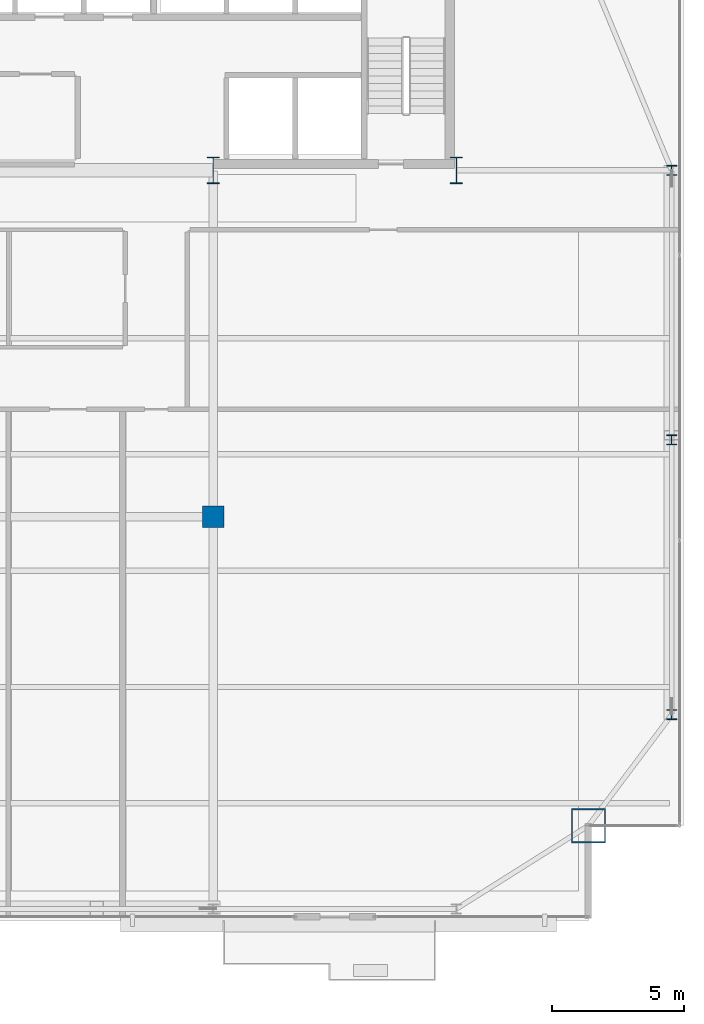
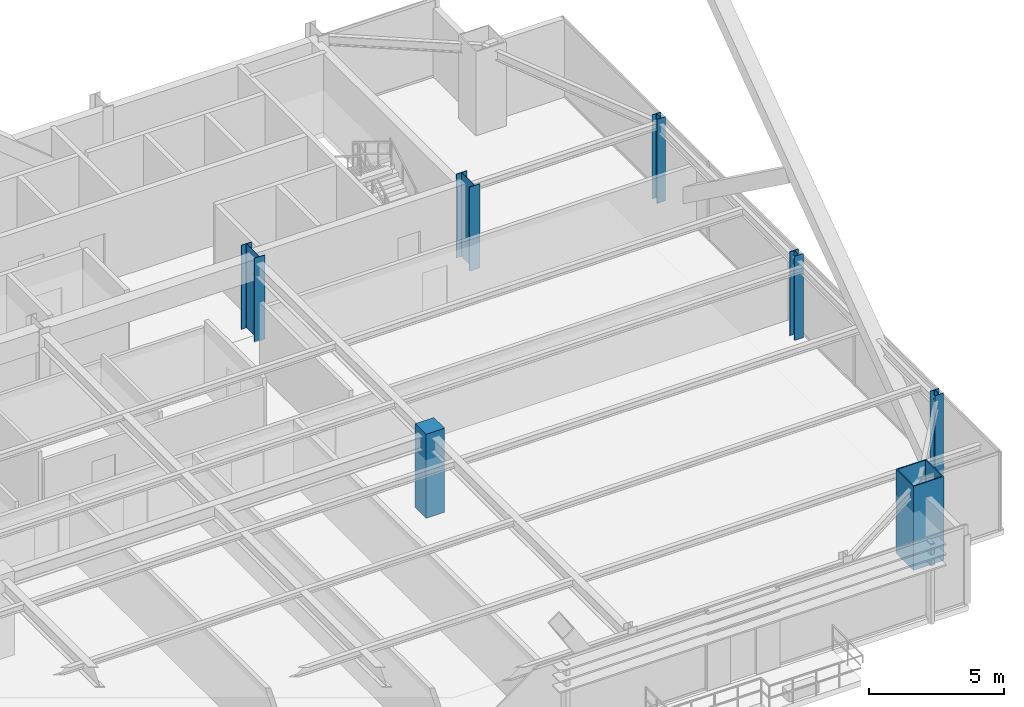
# One storey, part 2 of 34: 7 columns.
"""IFC4 building model written with IfcOpenShell, lengths in metres."""

from ifc_helpers import new_model, si_unit, direction, frame, origin, origin_2d, place, context, subcontext, project, spatial, rectangle, hollow_rectangle, i_section, extrude, source, transform, mapped, material, material_profile, profile_set, type_object, type_shapes, element, save


model = new_model("IFC4")

# Units and contexts
model_context = context("Model", 3, precision=1e-05, world=origin(), true_north=direction((0.0, 1.0)))
body_context = subcontext(model_context, "Body", "Model", "MODEL_VIEW")
ifc_project = project(units=[si_unit("LENGTHUNIT", "METRE"), si_unit("AREAUNIT", "SQUARE_METRE"), si_unit("VOLUMEUNIT", "CUBIC_METRE"), si_unit("PLANEANGLEUNIT", "RADIAN"), si_unit("MASSUNIT", "GRAM", prefix="KILO")], contexts=[model_context])

# Site, building, storey
site_placement = place(None, origin())
site = spatial("IfcSite", under=ifc_project, at=site_placement, CompositionType="ELEMENT")
building_placement = place(site_placement, origin())
building = spatial("IfcBuilding", under=site, at=building_placement, Name="Varnel Quay Broadcast Tower", CompositionType="ELEMENT")
storey_placement = place(building_placement, frame((0.0, 0.0, 161.0)))
storey = spatial("IfcBuildingStorey", under=building, at=storey_placement, Name="L39", CompositionType="ELEMENT", Elevation=161.0)

# Columns
ifc_material_1 = material(Name="Structural Steel CSA G40.21 350WT", Category="steel")
ifc_material_profile_1 = material_profile(ifc_material_1, i_section(OverallWidth=0.449951171875, OverallDepth=1.0, WebThickness=0.01611328125, FlangeThickness=0.030029296875, FilletRadius=0.01611328125, at=origin_2d()), Name="WWF1000X362")
ifc_profile_set_1 = profile_set([ifc_material_profile_1], Name="Structural Steel CSA G40.21 350WT")
column_type_1 = type_object("IfcColumnType", Name="Col_WWF1000X362", PredefinedType="COLUMN", material=ifc_profile_set_1)
shared_shape_1 = source(origin(), body_context, "Body", "SweptSolid", [
    extrude(i_section(OverallWidth=0.449951171875, OverallDepth=1.0, WebThickness=0.01611328125, FlangeThickness=0.030029296875, FilletRadius=0.01611328125, at=origin_2d()), origin(), (0.0, 0.0, 1.0), 3.800048828125),
])
type_shapes(column_type_1, [shared_shape_1])
for number, where, z_axis, x_axis, name in (
    (1, (43.199951171875, 35.60009765625, 0.0), (0.0, 0.0, 1.0), (1.0, 0.0, 0.0), "L39 Column CC-S4"),
    (2, (52.39990234375, 35.60009765625, 0.0), (0.0, 0.0, 1.0), (1.0, 0.0, 0.0), "L39 Column CC-S5"),
):
    element("IfcColumn", number, at=place(storey_placement, frame(where, z_axis=z_axis, x_axis=x_axis)), inside=storey, type_object=column_type_1, Name=name, PredefinedType="COLUMN", context=body_context, shape_type="MappedRepresentation", body=[
        mapped(shared_shape_1, transform((0.0, 0.0, 0.0), x_axis=(1.0, 0.0, 0.0), y_axis=(0.0, 1.0, 0.0), z_axis=(0.0, 0.0, 1.0), scale=1.0)),
    ])
ifc_material_profile_2 = material_profile(ifc_material_1, hollow_rectangle(XDim=1.300048828125, YDim=1.300048828125, WallThickness=0.050048828125, at=origin_2d()), Name="BOX1300X1300X50")
ifc_profile_set_2 = profile_set([ifc_material_profile_2], Name="Structural Steel CSA G40.21 350WT")
column_type_2 = type_object("IfcColumnType", Name="Col_BOX1300X1300X50", PredefinedType="COLUMN", material=ifc_profile_set_2)
shared_shape_2 = source(origin(), body_context, "Body", "SweptSolid", [
    extrude(hollow_rectangle(XDim=1.300048828125, YDim=1.300048828125, WallThickness=0.050048828125, at=origin_2d()), origin(), (0.0, 0.0, 1.0), 3.800048828125),
])
type_shapes(column_type_2, [shared_shape_2])
column_1_placement = place(storey_placement, frame((57.39990234375, 10.800048828125, 0.0), z_axis=(0.0, 0.0, 1.0), x_axis=(1.0, 0.0, 0.0)))
element("IfcColumn", 3, at=column_1_placement, inside=storey, type_object=column_type_2, Name="L39 Column MC-SE", PredefinedType="COLUMN", context=body_context, shape_type="MappedRepresentation", body=[
    mapped(shared_shape_2, transform((0.0, 0.0, 0.0), x_axis=(1.0, 0.0, 0.0), y_axis=(0.0, 1.0, 0.0), z_axis=(0.0, 0.0, 1.0), scale=1.0)),
])
ifc_material_2 = material(Name="Structural Steel CSA G40.21 350W", Category="steel")
ifc_material_profile_3 = material_profile(ifc_material_2, i_section(OverallWidth=0.3740234375, OverallDepth=0.3720703125, WebThickness=0.016357421875, FlangeThickness=0.026123046875, FilletRadius=0.01611328125, at=origin_2d()), Name="W360X196")
ifc_profile_set_3 = profile_set([ifc_material_profile_3], Name="Structural Steel CSA G40.21 350W")
column_type_3 = type_object("IfcColumnType", Name="Col_W360X196", PredefinedType="COLUMN", material=ifc_profile_set_3)
shared_shape_3 = source(origin(), body_context, "Body", "SweptSolid", [
    extrude(i_section(OverallWidth=0.3740234375, OverallDepth=0.3720703125, WebThickness=0.016357421875, FlangeThickness=0.026123046875, FilletRadius=0.01611328125, at=origin_2d()), origin(), (0.0, 0.0, 1.0), 3.800048828125),
])
type_shapes(column_type_3, [shared_shape_3])
for number, where, z_axis, x_axis, name in (
    (4, (60.550048828125, 15.0, 0.0), (0.0, 0.0, 1.0), (1.0, 0.0, 0.0), "L39 Column TC-E1"),
    (5, (60.550048828125, 25.39990234375, 0.0), (0.0, 0.0, 1.0), (1.0, 0.0, 0.0), "L39 Column TC-E2"),
    (6, (60.550048828125, 35.60009765625, 0.0), (0.0, 0.0, 1.0), (1.0, 0.0, 0.0), "L39 Column TC-E3"),
):
    element("IfcColumn", number, at=place(storey_placement, frame(where, z_axis=z_axis, x_axis=x_axis)), inside=storey, type_object=column_type_3, Name=name, PredefinedType="COLUMN", context=body_context, shape_type="MappedRepresentation", body=[
        mapped(shared_shape_3, transform((0.0, 0.0, 0.0), x_axis=(1.0, 0.0, 0.0), y_axis=(0.0, 1.0, 0.0), z_axis=(0.0, 0.0, 1.0), scale=1.0)),
    ])
ifc_material_3 = material(Name="Concrete CSA A23.3 C50/60", Category="concrete")
ifc_material_profile_4 = material_profile(ifc_material_3, rectangle(XDim=0.800048828125, YDim=0.800048828125, at=origin_2d()), Name="RC800X800")
ifc_profile_set_4 = profile_set([ifc_material_profile_4], Name="Concrete CSA A23.3 C50/60")
column_type_4 = type_object("IfcColumnType", Name="Col_RC800X800", PredefinedType="COLUMN", material=ifc_profile_set_4)
shared_shape_4 = source(origin(), body_context, "Body", "SweptSolid", [
    extrude(rectangle(XDim=0.800048828125, YDim=0.800048828125, at=origin_2d()), origin(), (0.0, 0.0, 1.0), 3.800048828125),
])
type_shapes(column_type_4, [shared_shape_4])
column_2_placement = place(storey_placement, frame((43.199951171875, 22.489990234375, 0.0), z_axis=(0.0, 0.0, 1.0), x_axis=(1.0, 0.0, 0.0)))
element("IfcColumn", 7, at=column_2_placement, inside=storey, type_object=column_type_4, Name="L39 Column IC-02", PredefinedType="COLUMN", context=body_context, shape_type="MappedRepresentation", body=[
    mapped(shared_shape_4, transform((0.0, 0.0, 0.0), x_axis=(1.0, 0.0, 0.0), y_axis=(0.0, 1.0, 0.0), z_axis=(0.0, 0.0, 1.0), scale=1.0)),
])

save(model, "model.ifc")
